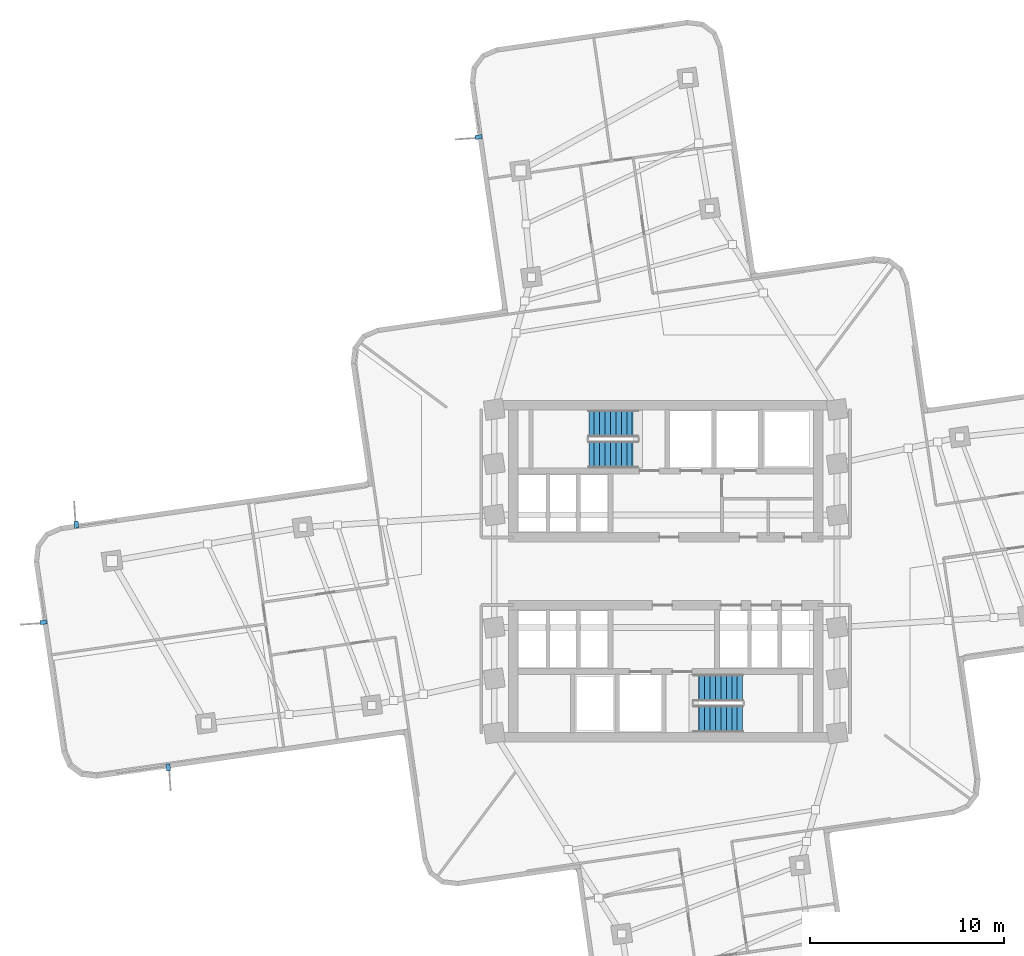
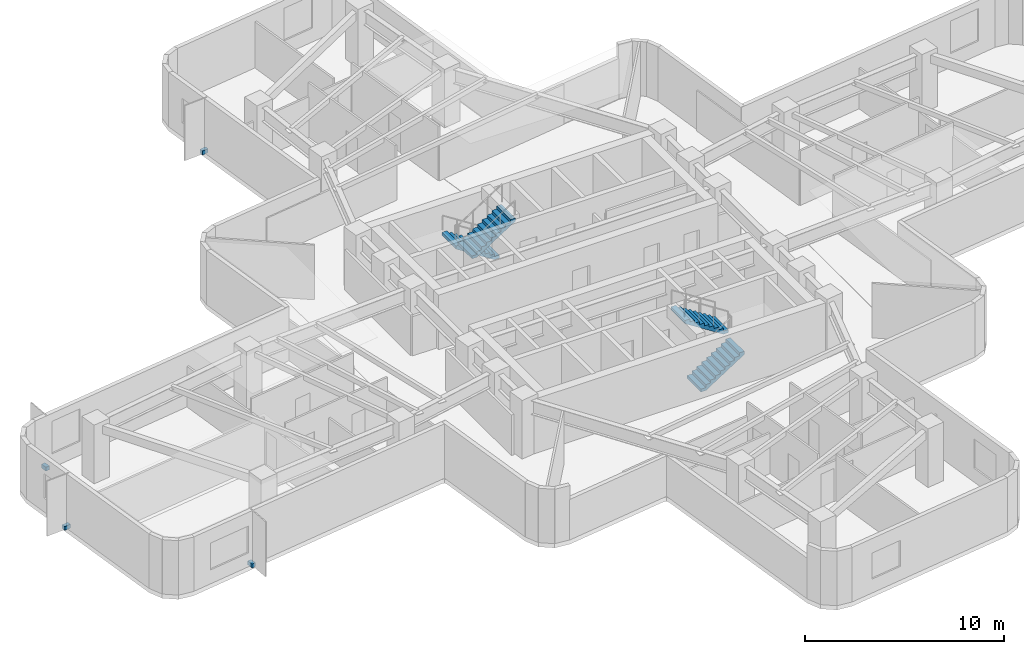
# One storey, part 6 of 10: 4 discrete accessories, 4 stair flights, 2 elements without a shape of their own.
"""IFC4 building model written with IfcOpenShell, lengths in metres."""

from ifc_helpers import new_model, si_unit, direction, frame, origin, origin_2d, place, context, subcontext, project, spatial, polyline, rectangle, outline, extrude, material, type_object, element, aggregate, save


model = new_model("IFC4")

# Units and contexts
model_context = context("Model", 3, precision=1e-05, world=origin(), true_north=direction((0.0, 1.0)))
body_context = subcontext(model_context, "Body", "Model", "MODEL_VIEW")
ifc_project = project(units=[si_unit("LENGTHUNIT", "METRE"), si_unit("AREAUNIT", "SQUARE_METRE"), si_unit("VOLUMEUNIT", "CUBIC_METRE"), si_unit("PLANEANGLEUNIT", "RADIAN"), si_unit("MASSUNIT", "GRAM", prefix="KILO")], contexts=[model_context])

# Site, building, storey
site_placement = place(None, origin())
site = spatial("IfcSite", under=ifc_project, at=site_placement, CompositionType="ELEMENT")
building_placement = place(site_placement, origin())
building = spatial("IfcBuilding", under=site, at=building_placement, Name="Solmarez Civic Tower", CompositionType="ELEMENT")
storey_placement = place(building_placement, frame((0.0, 0.0, 85.679931640625)))
storey = spatial("IfcBuildingStorey", under=building, at=storey_placement, Name="L22", CompositionType="ELEMENT", Elevation=85.679931640625)

# Stair, stair flights
ifc_material_1 = material(Name="Concrete C50/60", Category="concrete")
stair_type = type_object("IfcStairType", Name="STAIR-DOGLEG-140W-20R-1800", PredefinedType="HALF_TURN_STAIR", material=ifc_material_1)
stair_1_placement = place(storey_placement, origin())
stair_1 = element("IfcStair", 1, at=stair_1_placement, inside=storey, type_object=stair_type, Name="L22 North Core Protected Exit Stair ST-1", PredefinedType="HALF_TURN_STAIR")
stair_flight_type = type_object("IfcStairFlightType", Name="FLIGHT-DOGLEG-140W-10R-1800", PredefinedType="STRAIGHT", material=ifc_material_1)
stair_flight_1_placement = place(storey_placement, frame((-1.449951171875, 7.6201171875, 0.0), z_axis=(0.0, 0.0, 1.0), x_axis=(-1.0, 0.0, 0.0)))
stair_flight_1 = element("IfcStairFlight", 2, at=stair_flight_1_placement, type_object=stair_flight_type, Name="ST-1 flight 1", NumberOfRisers=10, NumberOfTreads=9, PredefinedType="STRAIGHT", RiserHeight=0.18, TreadLength=0.28, context=body_context, shape_type="SweptSolid", body=[
    extrude(outline(polyline([(0.0, 0.0), (0.0, 0.179931640625), (0.280029296875, 0.179931640625), (0.280029296875, 0.360107421875), (0.56005859375, 0.360107421875), (0.56005859375, 0.5400390625), (0.840087890625, 0.5400390625), (0.840087890625, 0.719970703125), (1.1201171875, 0.719970703125), (1.1201171875, 0.89990234375), (1.39990234375, 0.89990234375), (1.39990234375, 1.080078125), (1.679931640625, 1.080078125), (1.679931640625, 1.260009765625), (1.9599609375, 1.260009765625), (1.9599609375, 1.43994140625), (2.239990234375, 1.43994140625), (2.239990234375, 1.6201171875), (2.52001953125, 1.6201171875), (2.52001953125, 1.800048828125), (2.52001953125, 1.429931640625), (0.295654296875, 0.0), (0.0, 0.0)])), frame((0.0, 0.699951171875, 0.0), z_axis=(0.0, -1.0, 0.0), x_axis=(1.0, 0.0, 0.0)), (0.0, 0.0, 1.0), 1.39990234375),
])
stair_flight_2_placement = place(storey_placement, frame((-3.969970703125, 6.02001953125, 1.800048828125), z_axis=(0.0, 0.0, 1.0), x_axis=(1.0, 0.0, 0.0)))
stair_flight_2 = element("IfcStairFlight", 3, at=stair_flight_2_placement, type_object=stair_flight_type, Name="ST-1 flight 2", NumberOfRisers=10, NumberOfTreads=9, PredefinedType="STRAIGHT", RiserHeight=0.18, TreadLength=0.28, context=body_context, shape_type="SweptSolid", body=[
    extrude(outline(polyline([(0.0, 0.0), (0.0, 0.179931640625), (0.280029296875, 0.179931640625), (0.280029296875, 0.360107421875), (0.56005859375, 0.360107421875), (0.56005859375, 0.5400390625), (0.840087890625, 0.5400390625), (0.840087890625, 0.719970703125), (1.1201171875, 0.719970703125), (1.1201171875, 0.89990234375), (1.39990234375, 0.89990234375), (1.39990234375, 1.080078125), (1.679931640625, 1.080078125), (1.679931640625, 1.260009765625), (1.9599609375, 1.260009765625), (1.9599609375, 1.43994140625), (2.239990234375, 1.43994140625), (2.239990234375, 1.6201171875), (2.52001953125, 1.6201171875), (2.52001953125, 1.800048828125), (2.52001953125, 1.429931640625), (0.295654296875, 0.0), (0.0, 0.0)])), frame((0.0, 0.699951171875, 0.0), z_axis=(0.0, -1.0, 0.0), x_axis=(1.0, 0.0, 0.0)), (0.0, 0.0, 1.0), 1.39990234375),
])
aggregate(stair_1, [stair_flight_1, stair_flight_2])

stair_2_placement = place(storey_placement, origin())
stair_2 = element("IfcStair", 4, at=stair_2_placement, inside=storey, type_object=stair_type, Name="L22 South Core Protected Exit Stair ST-2", PredefinedType="HALF_TURN_STAIR")
stair_flight_3_placement = place(storey_placement, frame((1.449951171875, -7.6201171875, 0.0), z_axis=(0.0, 0.0, 1.0), x_axis=(1.0, 0.0, 0.0)))
stair_flight_3 = element("IfcStairFlight", 5, at=stair_flight_3_placement, type_object=stair_flight_type, Name="ST-2 flight 1", NumberOfRisers=10, NumberOfTreads=9, PredefinedType="STRAIGHT", RiserHeight=0.18, TreadLength=0.28, context=body_context, shape_type="SweptSolid", body=[
    extrude(outline(polyline([(0.0, 0.0), (0.0, 0.179931640625), (0.280029296875, 0.179931640625), (0.280029296875, 0.360107421875), (0.56005859375, 0.360107421875), (0.56005859375, 0.5400390625), (0.840087890625, 0.5400390625), (0.840087890625, 0.719970703125), (1.1201171875, 0.719970703125), (1.1201171875, 0.89990234375), (1.39990234375, 0.89990234375), (1.39990234375, 1.080078125), (1.679931640625, 1.080078125), (1.679931640625, 1.260009765625), (1.9599609375, 1.260009765625), (1.9599609375, 1.43994140625), (2.239990234375, 1.43994140625), (2.239990234375, 1.6201171875), (2.52001953125, 1.6201171875), (2.52001953125, 1.800048828125), (2.52001953125, 1.429931640625), (0.295654296875, 0.0), (0.0, 0.0)])), frame((0.0, 0.699951171875, 0.0), z_axis=(0.0, -1.0, 0.0), x_axis=(1.0, 0.0, 0.0)), (0.0, 0.0, 1.0), 1.39990234375),
])
stair_flight_4_placement = place(storey_placement, frame((3.969970703125, -6.02001953125, 1.800048828125), z_axis=(0.0, 0.0, 1.0), x_axis=(-1.0, 0.0, 0.0)))
stair_flight_4 = element("IfcStairFlight", 6, at=stair_flight_4_placement, type_object=stair_flight_type, Name="ST-2 flight 2", NumberOfRisers=10, NumberOfTreads=9, PredefinedType="STRAIGHT", RiserHeight=0.18, TreadLength=0.28, context=body_context, shape_type="SweptSolid", body=[
    extrude(outline(polyline([(0.0, 0.0), (0.0, 0.179931640625), (0.280029296875, 0.179931640625), (0.280029296875, 0.360107421875), (0.56005859375, 0.360107421875), (0.56005859375, 0.5400390625), (0.840087890625, 0.5400390625), (0.840087890625, 0.719970703125), (1.1201171875, 0.719970703125), (1.1201171875, 0.89990234375), (1.39990234375, 0.89990234375), (1.39990234375, 1.080078125), (1.679931640625, 1.080078125), (1.679931640625, 1.260009765625), (1.9599609375, 1.260009765625), (1.9599609375, 1.43994140625), (2.239990234375, 1.43994140625), (2.239990234375, 1.6201171875), (2.52001953125, 1.6201171875), (2.52001953125, 1.800048828125), (2.52001953125, 1.429931640625), (0.295654296875, 0.0), (0.0, 0.0)])), frame((0.0, 0.699951171875, 0.0), z_axis=(0.0, -1.0, 0.0), x_axis=(1.0, 0.0, 0.0)), (0.0, 0.0, 1.0), 1.39990234375),
])
aggregate(stair_2, [stair_flight_3, stair_flight_4])

# Discrete accessories
ifc_material_2 = material(Name="Stainless Steel Grade 1.4401", Category="steel")
discrete_accessory_type = type_object("IfcDiscreteAccessoryType", Name="BRACKET-SS-FIN", PredefinedType="BRACKET", material=ifc_material_2)
for number, where, z_axis, x_axis, name in (
    (7, (-25.677978515625, -10.1259765625, -0.06005859375), (0.0, 0.0, 1.0), (0.142625895594, -0.989776668702, 0.0), "L22 Stainless Fin Support Bracket FIN-L22-01"),
    (8, (-32.113037109375, -2.633056640625, -0.06005859375), (0.0, 0.0, 1.0), (-0.989777543719, -0.142619823131, 0.0), "L22 Stainless Fin Support Bracket FIN-L22-02"),
    (9, (-30.4140625, 2.406005859375, -0.06005859375), (0.0, 0.0, 1.0), (-0.142617157324, 0.989777927839, 0.0), "L22 Stainless Fin Support Bracket FIN-L22-03"),
    (10, (-9.655029296875, 22.412109375, -0.06005859375), (0.0, 0.0, 1.0), (-0.989776434573, -0.142627520363, 0.0), "L22 Stainless Fin Support Bracket FIN-L22-04"),
):
    element("IfcDiscreteAccessory", number, at=place(storey_placement, frame(where, z_axis=z_axis, x_axis=x_axis)), inside=storey, type_object=discrete_accessory_type, Name=name, PredefinedType="BRACKET", context=body_context, shape_type="SweptSolid", body=[
        extrude(rectangle(XDim=0.360107421875, YDim=0.219970703125, at=origin_2d()), origin(), (0.0, 0.0, 1.0), 0.239990234375),
    ])

save(model, "model.ifc")
